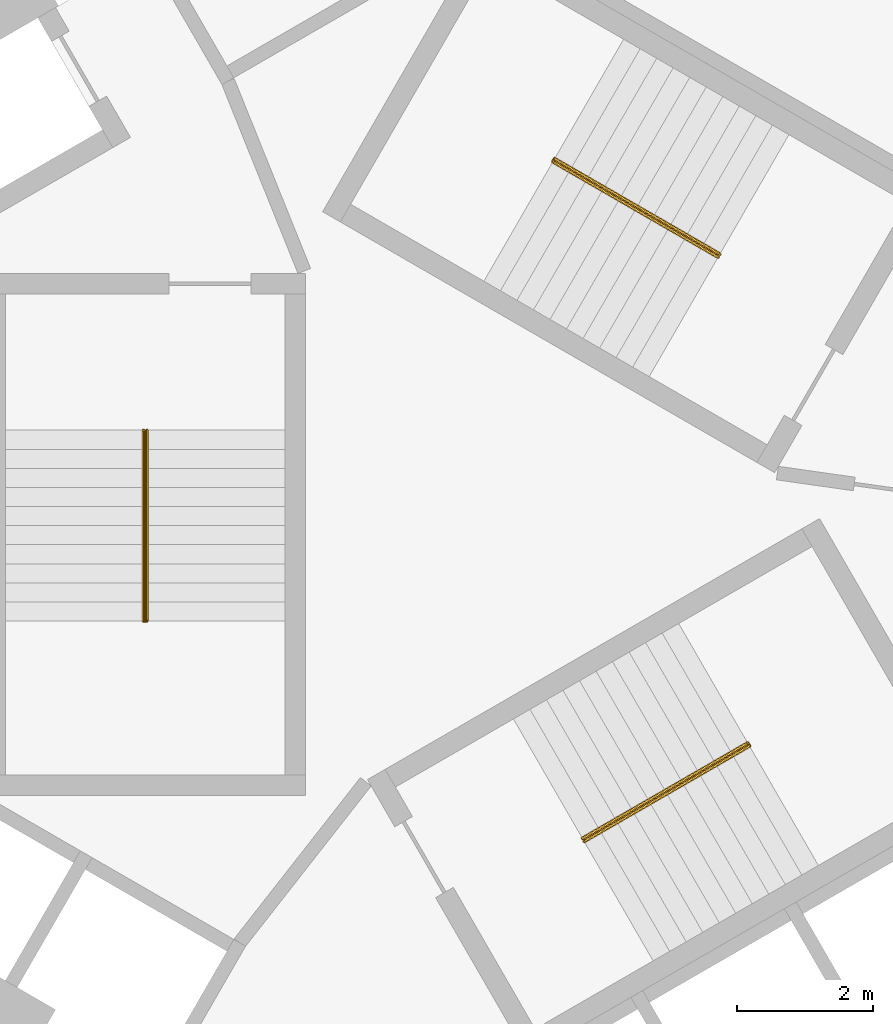
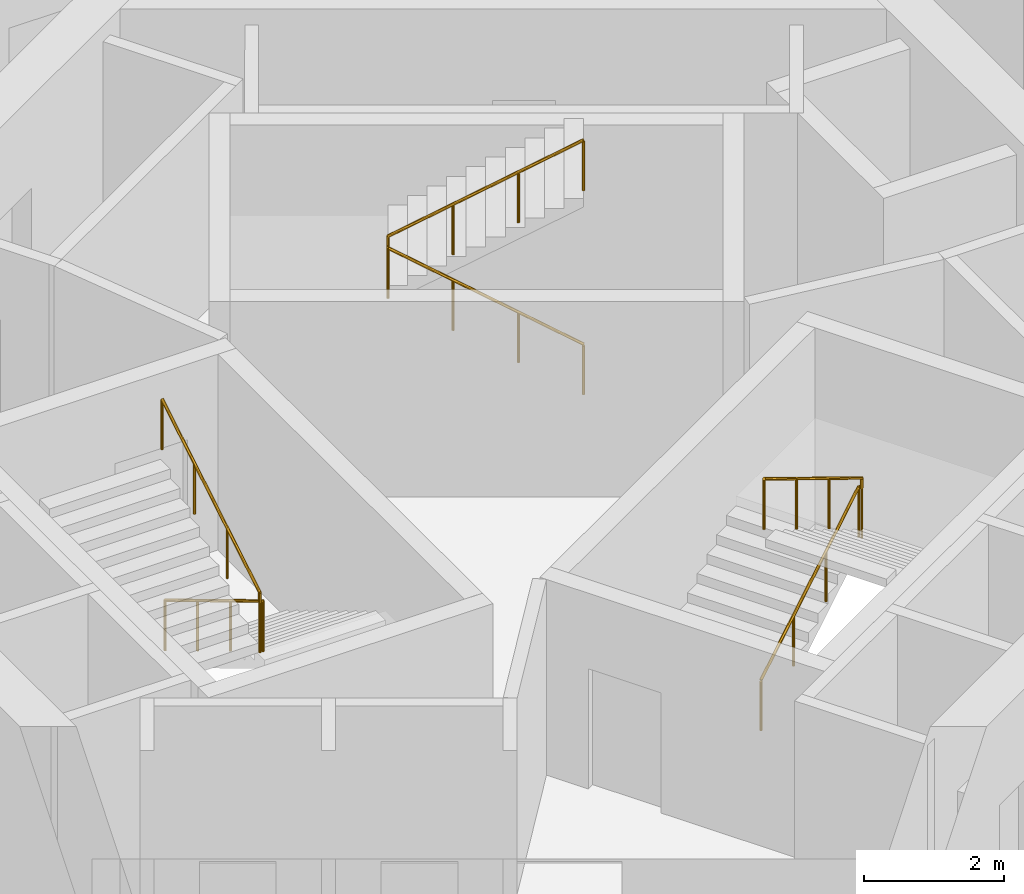
# One storey, part 11 of 11: 3 railings.
"""IFC4 building model written with IfcOpenShell, lengths in metres."""

from ifc_helpers import new_model, si_unit, direction, frame, origin, origin_2d, place, context, subcontext, project, spatial, circle, extrude, material, type_object, element, save


model = new_model("IFC4")

# Units and contexts
model_context = context("Model", 3, precision=1e-05, world=origin(), true_north=direction((0.0, 1.0)))
body_context = subcontext(model_context, "Body", "Model", "MODEL_VIEW")
ifc_project = project(units=[si_unit("LENGTHUNIT", "METRE"), si_unit("AREAUNIT", "SQUARE_METRE"), si_unit("VOLUMEUNIT", "CUBIC_METRE"), si_unit("PLANEANGLEUNIT", "RADIAN"), si_unit("MASSUNIT", "GRAM", prefix="KILO")], contexts=[model_context])

# Site, building, storey
site_placement = place(None, origin())
site = spatial("IfcSite", under=ifc_project, at=site_placement, CompositionType="ELEMENT")
building_placement = place(site_placement, origin())
building = spatial("IfcBuilding", under=site, at=building_placement, Name="Vanh Sen Convention Tower", CompositionType="ELEMENT")
storey_placement = place(building_placement, frame((0.0, 0.0, 289.39990234375)))
storey = spatial("IfcBuildingStorey", under=building, at=storey_placement, Name="L71", CompositionType="ELEMENT", Elevation=289.39990234375)

# Railings
ifc_material = material(Name="Stainless steel handrail", Category="steel")
railing_type = type_object("IfcRailingType", Name="Stair handrail 900", PredefinedType="HANDRAIL", material=ifc_material)
railing_1_placement = place(storey_placement, frame((3.45849609375, 3.690185546875, 0.168212890625)))
element("IfcRailing", 1, at=railing_1_placement, inside=storey, type_object=railing_type, Name="Stair handrail ST1 L71", PredefinedType="HANDRAIL", context=body_context, shape_type="SweptSolid", body=[
    extrude(circle(Radius=0.02392578125, at=origin_2d()), frame((0.0, 0.0, 0.8759765625), z_axis=(-0.742390482028, 0.42860119049, 0.514934356695), x_axis=(-0.49998411664, -0.866034573852, 0.0)), (0.0, 0.0, 1.0), 3.26611328125),
    extrude(circle(Radius=0.02392578125, at=origin_2d()), frame((-2.4248046875, 1.39990234375, 2.5576171875), z_axis=(0.497188445666, 0.867642581652, 0.0), x_axis=(-0.867642581652, 0.497188445666, 0.0)), (0.0, 0.0, 1.0), 0.050048828125),
    extrude(circle(Radius=0.02392578125, at=origin_2d()), frame((-2.39990234375, 1.443359375, 2.5576171875), z_axis=(0.0, 0.0, 1.0), x_axis=(1.0, 0.0, 0.0)), (0.0, 0.0, 1.0), 0.168212890625),
    extrude(circle(Radius=0.02392578125, at=origin_2d()), frame((-2.39990234375, 1.443359375, 2.72607421875), z_axis=(0.742366697286, -0.42866220388, 0.514917859203), x_axis=(0.500049511043, 0.865996816683, 0.0)), (0.0, 0.0, 1.0), 3.266357421875),
    extrude(circle(Radius=0.02099609375, at=origin_2d()), origin(), (0.0, 0.0, 1.0), 0.851806640625),
    extrude(circle(Radius=0.02099609375, at=origin_2d()), frame((-0.808349609375, 0.466552734375, 0.560546875)), (0.0, 0.0, 1.0), 0.851806640625),
    extrude(circle(Radius=0.02099609375, at=origin_2d()), frame((-1.616455078125, 0.933349609375, 1.121337890625)), (0.0, 0.0, 1.0), 0.851806640625),
    extrude(circle(Radius=0.02099609375, at=origin_2d()), frame((-2.4248046875, 1.39990234375, 1.681884765625)), (0.0, 0.0, 1.0), 0.851806640625),
    extrude(circle(Radius=0.02099609375, at=origin_2d()), frame((-2.39990234375, 1.443359375, 1.681884765625)), (0.0, 0.0, 1.0), 0.851806640625),
    extrude(circle(Radius=0.02099609375, at=origin_2d()), frame((-2.39990234375, 1.443359375, 1.85009765625)), (0.0, 0.0, 1.0), 0.851806640625),
    extrude(circle(Radius=0.02099609375, at=origin_2d()), frame((-1.591552734375, 0.9765625, 2.41064453125)), (0.0, 0.0, 1.0), 0.851806640625),
    extrude(circle(Radius=0.02099609375, at=origin_2d()), frame((-0.783447265625, 0.510009765625, 2.971435546875)), (0.0, 0.0, 1.0), 0.851806640625),
    extrude(circle(Radius=0.02099609375, at=origin_2d()), frame((0.02490234375, 0.043212890625, 3.531982421875)), (0.0, 0.0, 1.0), 0.851806640625),
])
railing_2_placement = place(storey_placement, frame((-4.925048828125, 1.14990234375, 0.168212890625)))
element("IfcRailing", 2, at=railing_2_placement, inside=storey, type_object=railing_type, Name="Stair handrail ST2 L71", PredefinedType="HANDRAIL", context=body_context, shape_type="SweptSolid", body=[
    extrude(circle(Radius=0.02392578125, at=origin_2d()), frame((0.0, 0.0, 0.8759765625), z_axis=(0.0, -0.857222391501, 0.514946377315), x_axis=(1.0, 0.0, 0.0)), (0.0, 0.0, 1.0), 3.26611328125),
    extrude(circle(Radius=0.02392578125, at=origin_2d()), frame((0.0, -2.7998046875, 2.5576171875), z_axis=(-1.0, 0.0, 0.0), x_axis=(0.0, -1.0, 0.0)), (0.0, 0.0, 1.0), 0.050048828125),
    extrude(circle(Radius=0.02392578125, at=origin_2d()), frame((-0.050048828125, -2.7998046875, 2.5576171875), z_axis=(0.0, 0.0, 1.0), x_axis=(1.0, 0.0, 0.0)), (0.0, 0.0, 1.0), 0.168212890625),
    extrude(circle(Radius=0.02392578125, at=origin_2d()), frame((-0.050048828125, -2.7998046875, 2.72607421875), z_axis=(0.0, 0.857222391501, 0.514946377315), x_axis=(-1.0, 0.0, 0.0)), (0.0, 0.0, 1.0), 3.26611328125),
    extrude(circle(Radius=0.02099609375, at=origin_2d()), origin(), (0.0, 0.0, 1.0), 0.851806640625),
    extrude(circle(Radius=0.02099609375, at=origin_2d()), frame((0.0, -0.933349609375, 0.560546875)), (0.0, 0.0, 1.0), 0.851806640625),
    extrude(circle(Radius=0.02099609375, at=origin_2d()), frame((0.0, -1.866455078125, 1.121337890625)), (0.0, 0.0, 1.0), 0.851806640625),
    extrude(circle(Radius=0.02099609375, at=origin_2d()), frame((0.0, -2.7998046875, 1.681884765625)), (0.0, 0.0, 1.0), 0.851806640625),
    extrude(circle(Radius=0.02099609375, at=origin_2d()), frame((-0.050048828125, -2.7998046875, 1.681884765625)), (0.0, 0.0, 1.0), 0.851806640625),
    extrude(circle(Radius=0.02099609375, at=origin_2d()), frame((-0.050048828125, -2.7998046875, 1.85009765625)), (0.0, 0.0, 1.0), 0.851806640625),
    extrude(circle(Radius=0.02099609375, at=origin_2d()), frame((-0.050048828125, -1.866455078125, 2.41064453125)), (0.0, 0.0, 1.0), 0.851806640625),
    extrude(circle(Radius=0.02099609375, at=origin_2d()), frame((-0.050048828125, -0.933349609375, 2.971435546875)), (0.0, 0.0, 1.0), 0.851806640625),
    extrude(circle(Radius=0.02099609375, at=origin_2d()), frame((-0.050048828125, 0.0, 3.531982421875)), (0.0, 0.0, 1.0), 0.851806640625),
])
railing_3_placement = place(storey_placement, frame((1.466552734375, -4.840087890625, 0.168212890625)))
element("IfcRailing", 3, at=railing_3_placement, inside=storey, type_object=railing_type, Name="Stair handrail ST3 L71", PredefinedType="HANDRAIL", context=body_context, shape_type="SweptSolid", body=[
    extrude(circle(Radius=0.02392578125, at=origin_2d()), frame((0.0, 0.0, 0.8759765625), z_axis=(0.742390482028, 0.42860119049, 0.514934356695), x_axis=(-0.49998411664, 0.866034573852, 0.0)), (0.0, 0.0, 1.0), 3.26611328125),
    extrude(circle(Radius=0.02392578125, at=origin_2d()), frame((2.4248046875, 1.39990234375, 2.5576171875), z_axis=(0.502959906984, -0.86430974307, 0.0), x_axis=(0.86430974307, 0.502959906984, 0.0)), (0.0, 0.0, 1.0), 0.050048828125),
    extrude(circle(Radius=0.02392578125, at=origin_2d()), frame((2.449951171875, 1.356689453125, 2.5576171875), z_axis=(0.0, 0.0, 1.0), x_axis=(1.0, 0.0, 0.0)), (0.0, 0.0, 1.0), 0.168212890625),
    extrude(circle(Radius=0.02392578125, at=origin_2d()), frame((2.449951171875, 1.356689453125, 2.72607421875), z_axis=(-0.742366697286, -0.42866220388, 0.514917859203), x_axis=(0.500049511043, -0.865996816683, 0.0)), (0.0, 0.0, 1.0), 3.266357421875),
    extrude(circle(Radius=0.02099609375, at=origin_2d()), origin(), (0.0, 0.0, 1.0), 0.851806640625),
    extrude(circle(Radius=0.02099609375, at=origin_2d()), frame((0.808349609375, 0.466552734375, 0.560546875)), (0.0, 0.0, 1.0), 0.851806640625),
    extrude(circle(Radius=0.02099609375, at=origin_2d()), frame((1.616455078125, 0.933349609375, 1.121337890625)), (0.0, 0.0, 1.0), 0.851806640625),
    extrude(circle(Radius=0.02099609375, at=origin_2d()), frame((2.4248046875, 1.39990234375, 1.681884765625)), (0.0, 0.0, 1.0), 0.851806640625),
    extrude(circle(Radius=0.02099609375, at=origin_2d()), frame((2.449951171875, 1.356689453125, 1.681884765625)), (0.0, 0.0, 1.0), 0.851806640625),
    extrude(circle(Radius=0.02099609375, at=origin_2d()), frame((2.449951171875, 1.356689453125, 1.85009765625)), (0.0, 0.0, 1.0), 0.851806640625),
    extrude(circle(Radius=0.02099609375, at=origin_2d()), frame((1.6416015625, 0.889892578125, 2.41064453125)), (0.0, 0.0, 1.0), 0.851806640625),
    extrude(circle(Radius=0.02099609375, at=origin_2d()), frame((0.83349609375, 0.42333984375, 2.971435546875)), (0.0, 0.0, 1.0), 0.851806640625),
    extrude(circle(Radius=0.02099609375, at=origin_2d()), frame((0.025146484375, -0.04345703125, 3.531982421875)), (0.0, 0.0, 1.0), 0.851806640625),
])

save(model, "model.ifc")
